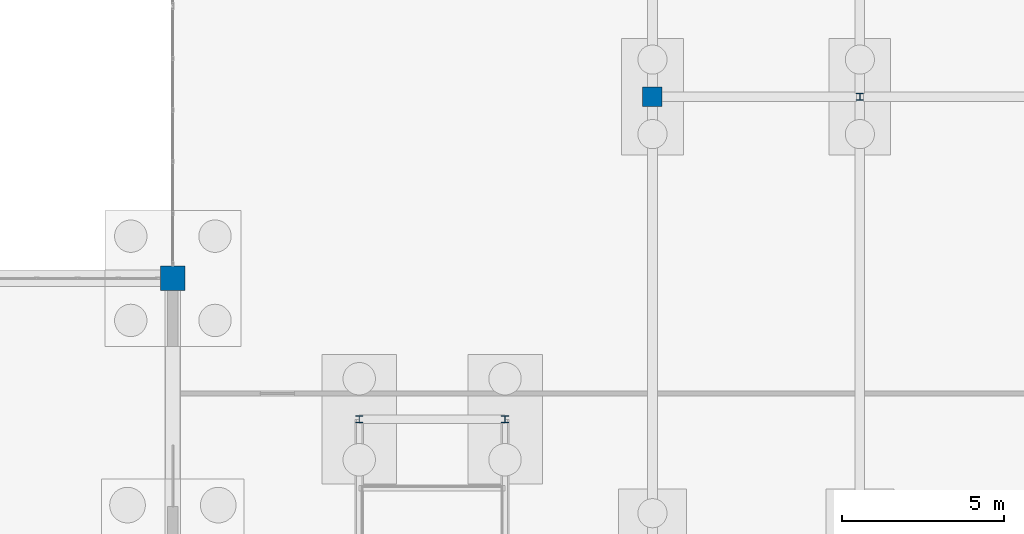
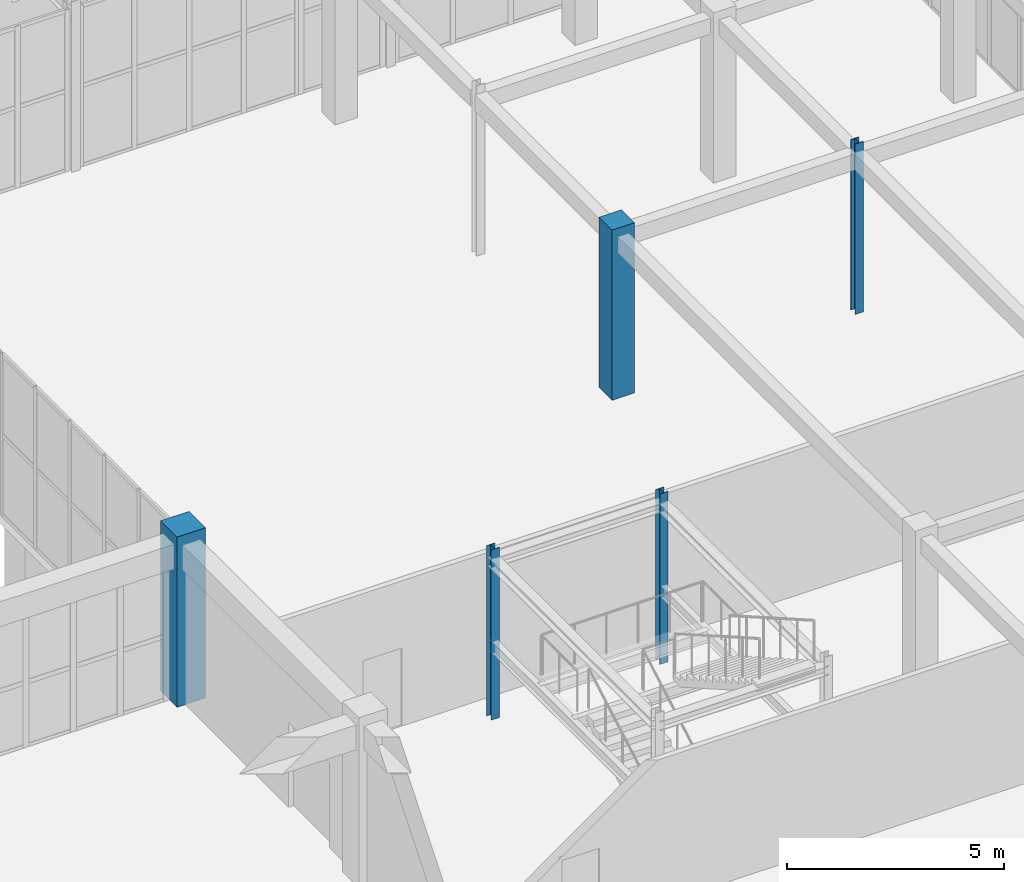
# One storey, part 36 of 192: 5 columns.
"""IFC4 building model written with IfcOpenShell, lengths in metres."""

from ifc_helpers import new_model, si_unit, direction, frame, origin, origin_2d, place, context, subcontext, project, spatial, rectangle, i_section, extrude, material, material_profile, profile_set, type_object, element, save


model = new_model("IFC4")

# Units and contexts
model_context = context("Model", 3, precision=1e-05, world=origin(), true_north=direction((0.0, 1.0)))
body_context = subcontext(model_context, "Body", "Model", "MODEL_VIEW")
ifc_project = project(units=[si_unit("LENGTHUNIT", "METRE"), si_unit("AREAUNIT", "SQUARE_METRE"), si_unit("VOLUMEUNIT", "CUBIC_METRE"), si_unit("PLANEANGLEUNIT", "RADIAN"), si_unit("MASSUNIT", "GRAM", prefix="KILO")], contexts=[model_context])

# Site, building, storey
site_placement = place(None, origin())
site = spatial("IfcSite", under=ifc_project, at=site_placement, CompositionType="ELEMENT")
building_placement = place(site_placement, origin())
building = spatial("IfcBuilding", under=site, at=building_placement, Name="Trelvath General Hospital", CompositionType="ELEMENT")
storey_placement = place(building_placement, origin())
storey = spatial("IfcBuildingStorey", under=building, at=storey_placement, Name="L00", CompositionType="ELEMENT", Elevation=0.0)

# Columns
ifc_material_1 = material(Name="Concrete C40/50", Category="concrete")
ifc_material_profile_1 = material_profile(ifc_material_1, rectangle(XDim=0.60009765625, YDim=0.60009765625, at=origin_2d()), Name="RC600x600")
ifc_profile_set_1 = profile_set([ifc_material_profile_1], Name="Concrete C40/50")
column_type_1 = type_object("IfcColumnType", Name="Column RC600", PredefinedType="COLUMN", material=ifc_profile_set_1)
column_1_placement = place(storey_placement, frame((107.199951171875, 72.800048828125, 0.0), z_axis=(0.0, 0.0, 1.0), x_axis=(1.0, 0.0, 0.0)))
element("IfcColumn", 1, at=column_1_placement, inside=storey, type_object=column_type_1, Name="Cube Interior Column CC-E05 L00", PredefinedType="COLUMN", context=body_context, shape_type="SweptSolid", body=[
    extrude(rectangle(XDim=0.60009765625, YDim=0.60009765625, at=origin_2d()), origin(), (0.0, 0.0, 1.0), 4.800048828125),
])
ifc_material_2 = material(Name="Concrete C40/50", Category="concrete")
ifc_material_profile_2 = material_profile(ifc_material_2, rectangle(XDim=0.760009765625, YDim=0.760009765625, at=origin_2d()), Name="RC760x760")
ifc_profile_set_2 = profile_set([ifc_material_profile_2], Name="Concrete C40/50")
column_type_2 = type_object("IfcColumnType", Name="Column RC760", PredefinedType="COLUMN", material=ifc_profile_set_2)
column_2_placement = place(storey_placement, frame((92.39990234375, 67.199951171875, 0.0), z_axis=(0.0, 0.0, 1.0), x_axis=(1.0, 0.0, 0.0)))
element("IfcColumn", 2, at=column_2_placement, inside=storey, type_object=column_type_2, Name="Column C-12I L00", PredefinedType="COLUMN", context=body_context, shape_type="SweptSolid", body=[
    extrude(rectangle(XDim=0.760009765625, YDim=0.760009765625, at=origin_2d()), origin(), (0.0, 0.0, 1.0), 4.800048828125),
])
ifc_material_3 = material(Name="Steel S355", Category="steel")
ifc_material_profile_3 = material_profile(ifc_material_3, i_section(OverallWidth=0.219970703125, OverallDepth=0.219970703125, WebThickness=0.009521484375, FlangeThickness=0.01611328125, at=origin_2d()), Name="HEB220")
ifc_profile_set_3 = profile_set([ifc_material_profile_3], Name="Steel S355")
column_type_3 = type_object("IfcColumnType", Name="CubePost HEB220", PredefinedType="COLUMN", material=ifc_profile_set_3)
column_3_placement = place(storey_placement, frame((113.60009765625, 72.800048828125, 0.0), z_axis=(0.0, 0.0, 1.0), x_axis=(1.0, 0.0, 0.0)))
element("IfcColumn", 3, at=column_3_placement, inside=storey, type_object=column_type_3, Name="Cube Interior Column CC-E12 L00", PredefinedType="COLUMN", context=body_context, shape_type="SweptSolid", body=[
    extrude(i_section(OverallWidth=0.219970703125, OverallDepth=0.219970703125, WebThickness=0.009521484375, FlangeThickness=0.01611328125, at=origin_2d()), origin(), (0.0, 0.0, 1.0), 4.800048828125),
])
ifc_material_4 = material(Name="Steel S355", Category="steel")
ifc_material_profile_4 = material_profile(ifc_material_4, i_section(OverallWidth=0.219970703125, OverallDepth=0.2099609375, WebThickness=0.007080078125, FlangeThickness=0.010986328125, at=origin_2d()), Name="HEA220")
ifc_profile_set_4 = profile_set([ifc_material_profile_4], Name="Steel S355")
column_type_4 = type_object("IfcColumnType", Name="StairPost HEA220", PredefinedType="COLUMN", material=ifc_profile_set_4)
for number, where, z_axis, x_axis, name in (
    (4, (98.14990234375, 62.85009765625, 0.0), (0.0, 0.0, 1.0), (1.0, 0.0, 0.0), "Atrium Stair Post CUBE-E 3 L00"),
    (5, (102.64990234375, 62.85009765625, 0.0), (0.0, 0.0, 1.0), (1.0, 0.0, 0.0), "Atrium Stair Post CUBE-E 4 L00"),
):
    element("IfcColumn", number, at=place(storey_placement, frame(where, z_axis=z_axis, x_axis=x_axis)), inside=storey, type_object=column_type_4, Name=name, PredefinedType="COLUMN", context=body_context, shape_type="SweptSolid", body=[
        extrude(i_section(OverallWidth=0.219970703125, OverallDepth=0.2099609375, WebThickness=0.007080078125, FlangeThickness=0.010986328125, at=origin_2d()), origin(), (0.0, 0.0, 1.0), 4.800048828125),
    ])

save(model, "model.ifc")
